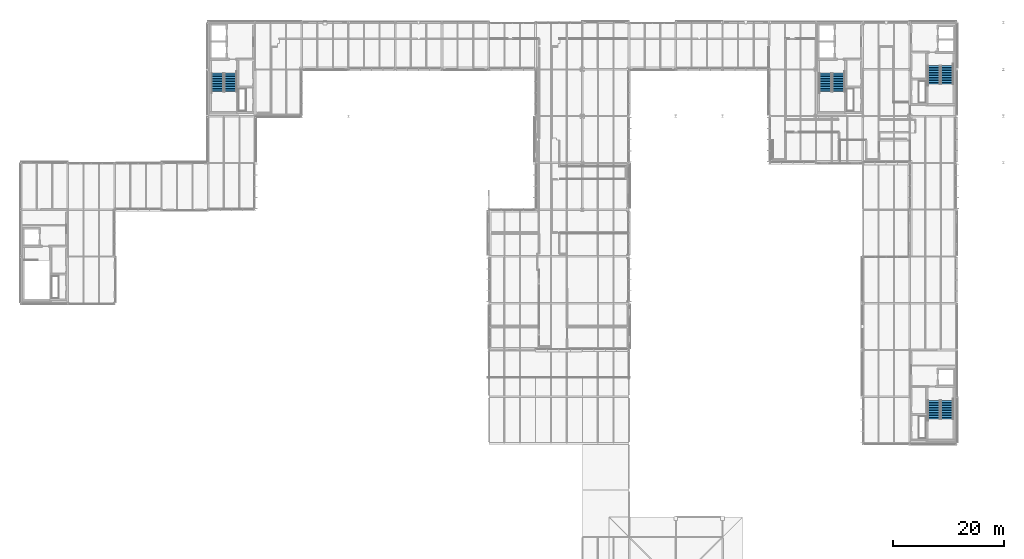
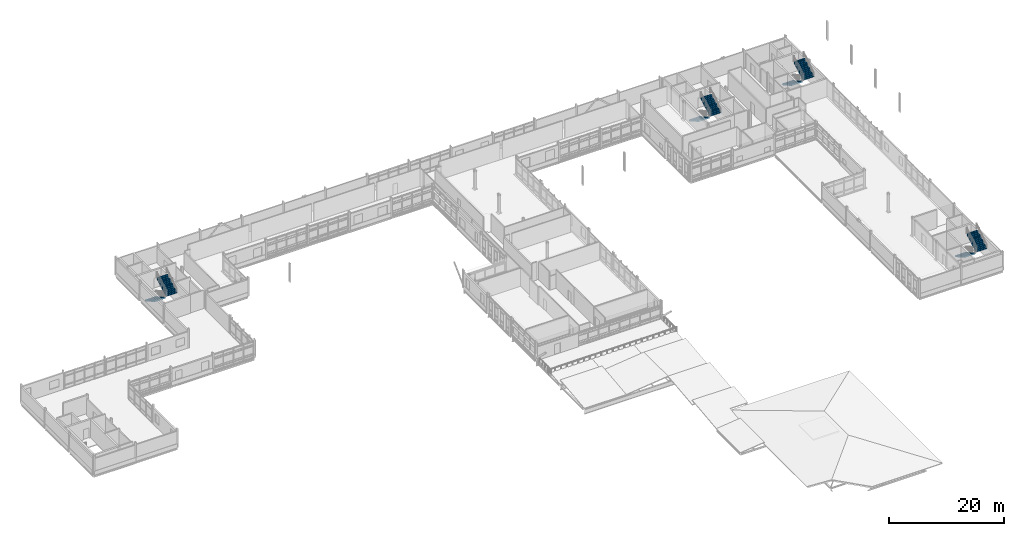
# One storey, part 91 of 103: 8 stair flights, 4 elements without a shape of their own.
"""IFC4 building model written with IfcOpenShell, lengths in metres."""

from ifc_helpers import new_model, si_unit, direction, frame, origin, place, context, subcontext, project, spatial, polyline, outline, extrude, material, type_object, element, aggregate, save


model = new_model("IFC4")

# Units and contexts
model_context = context("Model", 3, precision=1e-05, world=origin(), true_north=direction((0.0, 1.0)))
body_context = subcontext(model_context, "Body", "Model", "MODEL_VIEW")
ifc_project = project(units=[si_unit("LENGTHUNIT", "METRE"), si_unit("AREAUNIT", "SQUARE_METRE"), si_unit("VOLUMEUNIT", "CUBIC_METRE"), si_unit("PLANEANGLEUNIT", "RADIAN"), si_unit("MASSUNIT", "GRAM", prefix="KILO")], contexts=[model_context])

# Site, building, storey
site_placement = place(None, origin())
site = spatial("IfcSite", under=ifc_project, at=site_placement, CompositionType="ELEMENT")
building_placement = place(site_placement, origin())
building = spatial("IfcBuilding", under=site, at=building_placement, Name="Mersafa Astral City Hall", CompositionType="ELEMENT")
storey_placement = place(building_placement, frame((0.0, 0.0, 18.0)))
storey = spatial("IfcBuildingStorey", under=building, at=storey_placement, Name="L04", CompositionType="ELEMENT", Elevation=18.0)

# Stair, stair flights
ifc_material = material(Name="Concrete C40/50", Category="concrete")
stair_type = type_object("IfcStairType", Name="STAIR", PredefinedType="HALF_TURN_STAIR", material=ifc_material)
stair_1_placement = place(storey_placement, origin())
stair_1 = element("IfcStair", 1, at=stair_1_placement, inside=storey, type_object=stair_type, Name="L04 Protected Exit Stair ST1", PredefinedType="HALF_TURN_STAIR")
stair_flight_type = type_object("IfcStairFlightType", Name="STAIR-FLIGHT", PredefinedType="STRAIGHT", material=ifc_material)
stair_flight_1_placement = place(storey_placement, frame((152.8798828125, 116.89990234375, 0.0), z_axis=(0.0, 0.0, 1.0), x_axis=(0.0, -1.0, 0.0)))
stair_flight_1 = element("IfcStairFlight", 2, at=stair_flight_1_placement, type_object=stair_flight_type, Name="ST1 flight 1", NumberOfRisers=12, NumberOfTreads=11, PredefinedType="STRAIGHT", RiserHeight=0.16875, TreadLength=0.3, context=body_context, shape_type="SweptSolid", body=[
    extrude(outline(polyline([(-0.008056640625, -0.02197265625), (-0.008056640625, -0.010009765625), (-0.008056640625, 0.001953125), (-0.008056640625, 0.013671875), (-0.008056640625, 0.025634765625), (-0.008056640625, 0.03759765625), (-0.008056640625, 0.049560546875), (-0.008056640625, 0.0615234375), (-0.008056640625, 0.073486328125), (-0.008056640625, 0.085205078125), (-0.008056640625, 0.09716796875), (-0.008056640625, 0.109130859375), (-0.008056640625, 0.12109375), (-0.008056640625, 0.133056640625), (-0.008056640625, 0.14501953125), (-0.008056640625, 0.15673828125), (-0.008056640625, 0.168701171875), (0.300048828125, 0.168701171875), (0.300048828125, 0.33740234375), (0.60009765625, 0.33740234375), (0.60009765625, 0.50634765625), (0.89990234375, 0.50634765625), (0.89990234375, 0.675048828125), (1.199951171875, 0.675048828125), (1.199951171875, 0.84375), (1.5, 0.84375), (1.5, 1.012451171875), (1.800048828125, 1.012451171875), (1.800048828125, 1.18115234375), (2.10009765625, 1.18115234375), (2.10009765625, 1.35009765625), (2.39990234375, 1.35009765625), (2.39990234375, 1.518798828125), (2.699951171875, 1.518798828125), (2.699951171875, 1.6875), (3.0, 1.6875), (3.0, 1.856201171875), (3.300048828125, 1.856201171875), (3.300048828125, 2.02490234375), (3.30810546875, 2.02490234375), (3.30810546875, 2.003662109375), (3.30810546875, 1.982421875), (3.30810546875, 1.961181640625), (3.30810546875, 1.939697265625), (3.30810546875, 1.91845703125), (3.30810546875, 1.897216796875), (3.30810546875, 1.8759765625), (3.30810546875, 1.854736328125), (3.30810546875, 1.833251953125), (3.30810546875, 1.81201171875), (3.30810546875, 1.790771484375), (3.30810546875, 1.76953125), (3.30810546875, 1.748046875), (3.30810546875, 1.726806640625), (3.30810546875, 1.70556640625), (3.30810546875, 1.684326171875), (0.2666015625, -0.02197265625), (-0.008056640625, -0.02197265625)])), frame((0.0, 1.10009765625, 0.0), z_axis=(0.0, -1.0, 0.0), x_axis=(1.0, 0.0, 0.0)), (0.0, 0.0, 1.0), 2.199951171875),
])
stair_flight_2_placement = place(storey_placement, frame((155.239990234375, 113.60009765625, 2.02490234375), z_axis=(0.0, 0.0, 1.0), x_axis=(0.0, 1.0, 0.0)))
stair_flight_2 = element("IfcStairFlight", 3, at=stair_flight_2_placement, type_object=stair_flight_type, Name="ST1 flight 2", NumberOfRisers=12, NumberOfTreads=11, PredefinedType="STRAIGHT", RiserHeight=0.16875, TreadLength=0.3, context=body_context, shape_type="SweptSolid", body=[
    extrude(outline(polyline([(-0.008056640625, -0.02197265625), (-0.008056640625, -0.010009765625), (-0.008056640625, 0.001953125), (-0.008056640625, 0.013671875), (-0.008056640625, 0.025634765625), (-0.008056640625, 0.03759765625), (-0.008056640625, 0.049560546875), (-0.008056640625, 0.0615234375), (-0.008056640625, 0.073486328125), (-0.008056640625, 0.085205078125), (-0.008056640625, 0.09716796875), (-0.008056640625, 0.109130859375), (-0.008056640625, 0.12109375), (-0.008056640625, 0.133056640625), (-0.008056640625, 0.14501953125), (-0.008056640625, 0.15673828125), (-0.008056640625, 0.168701171875), (0.300048828125, 0.168701171875), (0.300048828125, 0.33740234375), (0.60009765625, 0.33740234375), (0.60009765625, 0.50634765625), (0.89990234375, 0.50634765625), (0.89990234375, 0.675048828125), (1.199951171875, 0.675048828125), (1.199951171875, 0.84375), (1.5, 0.84375), (1.5, 1.012451171875), (1.800048828125, 1.012451171875), (1.800048828125, 1.18115234375), (2.10009765625, 1.18115234375), (2.10009765625, 1.35009765625), (2.39990234375, 1.35009765625), (2.39990234375, 1.518798828125), (2.699951171875, 1.518798828125), (2.699951171875, 1.6875), (3.0, 1.6875), (3.0, 1.856201171875), (3.300048828125, 1.856201171875), (3.300048828125, 2.02490234375), (3.30810546875, 2.02490234375), (3.30810546875, 2.003662109375), (3.30810546875, 1.982421875), (3.30810546875, 1.961181640625), (3.30810546875, 1.939697265625), (3.30810546875, 1.91845703125), (3.30810546875, 1.897216796875), (3.30810546875, 1.8759765625), (3.30810546875, 1.854736328125), (3.30810546875, 1.833251953125), (3.30810546875, 1.81201171875), (3.30810546875, 1.790771484375), (3.30810546875, 1.76953125), (3.30810546875, 1.748046875), (3.30810546875, 1.726806640625), (3.30810546875, 1.70556640625), (3.30810546875, 1.684326171875), (0.2666015625, -0.02197265625), (-0.008056640625, -0.02197265625)])), frame((0.0, 1.10009765625, 0.0), z_axis=(0.0, -1.0, 0.0), x_axis=(1.0, 0.0, 0.0)), (0.0, 0.0, 1.0), 2.199951171875),
])
aggregate(stair_1, [stair_flight_1, stair_flight_2])

stair_2_placement = place(storey_placement, origin())
stair_2 = element("IfcStair", 4, at=stair_2_placement, inside=storey, type_object=stair_type, Name="L04 Protected Exit Stair ST2", PredefinedType="HALF_TURN_STAIR")
stair_flight_3_placement = place(storey_placement, frame((172.360107421875, 118.260009765625, 0.0), z_axis=(0.0, 0.0, 1.0), x_axis=(0.0, -1.0, 0.0)))
stair_flight_3 = element("IfcStairFlight", 5, at=stair_flight_3_placement, type_object=stair_flight_type, Name="ST2 flight 1", NumberOfRisers=12, NumberOfTreads=11, PredefinedType="STRAIGHT", RiserHeight=0.16875, TreadLength=0.3, context=body_context, shape_type="SweptSolid", body=[
    extrude(outline(polyline([(-0.008056640625, -0.02197265625), (-0.008056640625, -0.010009765625), (-0.008056640625, 0.001953125), (-0.008056640625, 0.013671875), (-0.008056640625, 0.025634765625), (-0.008056640625, 0.03759765625), (-0.008056640625, 0.049560546875), (-0.008056640625, 0.0615234375), (-0.008056640625, 0.073486328125), (-0.008056640625, 0.085205078125), (-0.008056640625, 0.09716796875), (-0.008056640625, 0.109130859375), (-0.008056640625, 0.12109375), (-0.008056640625, 0.133056640625), (-0.008056640625, 0.14501953125), (-0.008056640625, 0.15673828125), (-0.008056640625, 0.168701171875), (0.300048828125, 0.168701171875), (0.300048828125, 0.33740234375), (0.60009765625, 0.33740234375), (0.60009765625, 0.50634765625), (0.89990234375, 0.50634765625), (0.89990234375, 0.675048828125), (1.199951171875, 0.675048828125), (1.199951171875, 0.84375), (1.5, 0.84375), (1.5, 1.012451171875), (1.800048828125, 1.012451171875), (1.800048828125, 1.18115234375), (2.10009765625, 1.18115234375), (2.10009765625, 1.35009765625), (2.39990234375, 1.35009765625), (2.39990234375, 1.518798828125), (2.699951171875, 1.518798828125), (2.699951171875, 1.6875), (3.0, 1.6875), (3.0, 1.856201171875), (3.300048828125, 1.856201171875), (3.300048828125, 2.02490234375), (3.30810546875, 2.02490234375), (3.30810546875, 2.003662109375), (3.30810546875, 1.982421875), (3.30810546875, 1.961181640625), (3.30810546875, 1.939697265625), (3.30810546875, 1.91845703125), (3.30810546875, 1.897216796875), (3.30810546875, 1.8759765625), (3.30810546875, 1.854736328125), (3.30810546875, 1.833251953125), (3.30810546875, 1.81201171875), (3.30810546875, 1.790771484375), (3.30810546875, 1.76953125), (3.30810546875, 1.748046875), (3.30810546875, 1.726806640625), (3.30810546875, 1.70556640625), (3.30810546875, 1.684326171875), (0.2666015625, -0.02197265625), (-0.008056640625, -0.02197265625)])), frame((0.0, 1.10009765625, 0.0), z_axis=(0.0, -1.0, 0.0), x_axis=(1.0, 0.0, 0.0)), (0.0, 0.0, 1.0), 2.199951171875),
])
stair_flight_4_placement = place(storey_placement, frame((174.719970703125, 114.9599609375, 2.02490234375), z_axis=(0.0, 0.0, 1.0), x_axis=(0.0, 1.0, 0.0)))
stair_flight_4 = element("IfcStairFlight", 6, at=stair_flight_4_placement, type_object=stair_flight_type, Name="ST2 flight 2", NumberOfRisers=12, NumberOfTreads=11, PredefinedType="STRAIGHT", RiserHeight=0.16875, TreadLength=0.3, context=body_context, shape_type="SweptSolid", body=[
    extrude(outline(polyline([(-0.008056640625, -0.02197265625), (-0.008056640625, -0.010009765625), (-0.008056640625, 0.001953125), (-0.008056640625, 0.013671875), (-0.008056640625, 0.025634765625), (-0.008056640625, 0.03759765625), (-0.008056640625, 0.049560546875), (-0.008056640625, 0.0615234375), (-0.008056640625, 0.073486328125), (-0.008056640625, 0.085205078125), (-0.008056640625, 0.09716796875), (-0.008056640625, 0.109130859375), (-0.008056640625, 0.12109375), (-0.008056640625, 0.133056640625), (-0.008056640625, 0.14501953125), (-0.008056640625, 0.15673828125), (-0.008056640625, 0.168701171875), (0.300048828125, 0.168701171875), (0.300048828125, 0.33740234375), (0.60009765625, 0.33740234375), (0.60009765625, 0.50634765625), (0.89990234375, 0.50634765625), (0.89990234375, 0.675048828125), (1.199951171875, 0.675048828125), (1.199951171875, 0.84375), (1.5, 0.84375), (1.5, 1.012451171875), (1.800048828125, 1.012451171875), (1.800048828125, 1.18115234375), (2.10009765625, 1.18115234375), (2.10009765625, 1.35009765625), (2.39990234375, 1.35009765625), (2.39990234375, 1.518798828125), (2.699951171875, 1.518798828125), (2.699951171875, 1.6875), (3.0, 1.6875), (3.0, 1.856201171875), (3.300048828125, 1.856201171875), (3.300048828125, 2.02490234375), (3.30810546875, 2.02490234375), (3.30810546875, 2.003662109375), (3.30810546875, 1.982421875), (3.30810546875, 1.961181640625), (3.30810546875, 1.939697265625), (3.30810546875, 1.91845703125), (3.30810546875, 1.897216796875), (3.30810546875, 1.8759765625), (3.30810546875, 1.854736328125), (3.30810546875, 1.833251953125), (3.30810546875, 1.81201171875), (3.30810546875, 1.790771484375), (3.30810546875, 1.76953125), (3.30810546875, 1.748046875), (3.30810546875, 1.726806640625), (3.30810546875, 1.70556640625), (3.30810546875, 1.684326171875), (0.2666015625, -0.02197265625), (-0.008056640625, -0.02197265625)])), frame((0.0, 1.10009765625, 0.0), z_axis=(0.0, -1.0, 0.0), x_axis=(1.0, 0.0, 0.0)), (0.0, 0.0, 1.0), 2.199951171875),
])
aggregate(stair_2, [stair_flight_3, stair_flight_4])

stair_3_placement = place(storey_placement, origin())
stair_3 = element("IfcStair", 7, at=stair_3_placement, inside=storey, type_object=stair_type, Name="L04 Protected Exit Stair ST3", PredefinedType="HALF_TURN_STAIR")
stair_flight_5_placement = place(storey_placement, frame((43.679931640625, 116.89990234375, 0.0), z_axis=(0.0, 0.0, 1.0), x_axis=(0.0, -1.0, 0.0)))
stair_flight_5 = element("IfcStairFlight", 8, at=stair_flight_5_placement, type_object=stair_flight_type, Name="ST3 flight 1", NumberOfRisers=12, NumberOfTreads=11, PredefinedType="STRAIGHT", RiserHeight=0.16875, TreadLength=0.3, context=body_context, shape_type="SweptSolid", body=[
    extrude(outline(polyline([(-0.008056640625, -0.02197265625), (-0.008056640625, -0.010009765625), (-0.008056640625, 0.001953125), (-0.008056640625, 0.013671875), (-0.008056640625, 0.025634765625), (-0.008056640625, 0.03759765625), (-0.008056640625, 0.049560546875), (-0.008056640625, 0.0615234375), (-0.008056640625, 0.073486328125), (-0.008056640625, 0.085205078125), (-0.008056640625, 0.09716796875), (-0.008056640625, 0.109130859375), (-0.008056640625, 0.12109375), (-0.008056640625, 0.133056640625), (-0.008056640625, 0.14501953125), (-0.008056640625, 0.15673828125), (-0.008056640625, 0.168701171875), (0.300048828125, 0.168701171875), (0.300048828125, 0.33740234375), (0.60009765625, 0.33740234375), (0.60009765625, 0.50634765625), (0.89990234375, 0.50634765625), (0.89990234375, 0.675048828125), (1.199951171875, 0.675048828125), (1.199951171875, 0.84375), (1.5, 0.84375), (1.5, 1.012451171875), (1.800048828125, 1.012451171875), (1.800048828125, 1.18115234375), (2.10009765625, 1.18115234375), (2.10009765625, 1.35009765625), (2.39990234375, 1.35009765625), (2.39990234375, 1.518798828125), (2.699951171875, 1.518798828125), (2.699951171875, 1.6875), (3.0, 1.6875), (3.0, 1.856201171875), (3.300048828125, 1.856201171875), (3.300048828125, 2.02490234375), (3.30810546875, 2.02490234375), (3.30810546875, 2.003662109375), (3.30810546875, 1.982421875), (3.30810546875, 1.961181640625), (3.30810546875, 1.939697265625), (3.30810546875, 1.91845703125), (3.30810546875, 1.897216796875), (3.30810546875, 1.8759765625), (3.30810546875, 1.854736328125), (3.30810546875, 1.833251953125), (3.30810546875, 1.81201171875), (3.30810546875, 1.790771484375), (3.30810546875, 1.76953125), (3.30810546875, 1.748046875), (3.30810546875, 1.726806640625), (3.30810546875, 1.70556640625), (3.30810546875, 1.684326171875), (0.2666015625, -0.02197265625), (-0.008056640625, -0.02197265625)])), frame((0.0, 1.10009765625, 0.0), z_axis=(0.0, -1.0, 0.0), x_axis=(1.0, 0.0, 0.0)), (0.0, 0.0, 1.0), 2.199951171875),
])
stair_flight_6_placement = place(storey_placement, frame((46.0400390625, 113.60009765625, 2.02490234375), z_axis=(0.0, 0.0, 1.0), x_axis=(0.0, 1.0, 0.0)))
stair_flight_6 = element("IfcStairFlight", 9, at=stair_flight_6_placement, type_object=stair_flight_type, Name="ST3 flight 2", NumberOfRisers=12, NumberOfTreads=11, PredefinedType="STRAIGHT", RiserHeight=0.16875, TreadLength=0.3, context=body_context, shape_type="SweptSolid", body=[
    extrude(outline(polyline([(-0.008056640625, -0.02197265625), (-0.008056640625, -0.010009765625), (-0.008056640625, 0.001953125), (-0.008056640625, 0.013671875), (-0.008056640625, 0.025634765625), (-0.008056640625, 0.03759765625), (-0.008056640625, 0.049560546875), (-0.008056640625, 0.0615234375), (-0.008056640625, 0.073486328125), (-0.008056640625, 0.085205078125), (-0.008056640625, 0.09716796875), (-0.008056640625, 0.109130859375), (-0.008056640625, 0.12109375), (-0.008056640625, 0.133056640625), (-0.008056640625, 0.14501953125), (-0.008056640625, 0.15673828125), (-0.008056640625, 0.168701171875), (0.300048828125, 0.168701171875), (0.300048828125, 0.33740234375), (0.60009765625, 0.33740234375), (0.60009765625, 0.50634765625), (0.89990234375, 0.50634765625), (0.89990234375, 0.675048828125), (1.199951171875, 0.675048828125), (1.199951171875, 0.84375), (1.5, 0.84375), (1.5, 1.012451171875), (1.800048828125, 1.012451171875), (1.800048828125, 1.18115234375), (2.10009765625, 1.18115234375), (2.10009765625, 1.35009765625), (2.39990234375, 1.35009765625), (2.39990234375, 1.518798828125), (2.699951171875, 1.518798828125), (2.699951171875, 1.6875), (3.0, 1.6875), (3.0, 1.856201171875), (3.300048828125, 1.856201171875), (3.300048828125, 2.02490234375), (3.30810546875, 2.02490234375), (3.30810546875, 2.003662109375), (3.30810546875, 1.982421875), (3.30810546875, 1.961181640625), (3.30810546875, 1.939697265625), (3.30810546875, 1.91845703125), (3.30810546875, 1.897216796875), (3.30810546875, 1.8759765625), (3.30810546875, 1.854736328125), (3.30810546875, 1.833251953125), (3.30810546875, 1.81201171875), (3.30810546875, 1.790771484375), (3.30810546875, 1.76953125), (3.30810546875, 1.748046875), (3.30810546875, 1.726806640625), (3.30810546875, 1.70556640625), (3.30810546875, 1.684326171875), (0.2666015625, -0.02197265625), (-0.008056640625, -0.02197265625)])), frame((0.0, 1.10009765625, 0.0), z_axis=(0.0, -1.0, 0.0), x_axis=(1.0, 0.0, 0.0)), (0.0, 0.0, 1.0), 2.199951171875),
])
aggregate(stair_3, [stair_flight_5, stair_flight_6])

stair_4_placement = place(storey_placement, origin())
stair_4 = element("IfcStair", 10, at=stair_4_placement, inside=storey, type_object=stair_type, Name="L04 Protected Exit Stair ST4", PredefinedType="HALF_TURN_STAIR")
stair_flight_7_placement = place(storey_placement, frame((172.360107421875, 58.10009765625, 0.0), z_axis=(0.0, 0.0, 1.0), x_axis=(0.0, -1.0, 0.0)))
stair_flight_7 = element("IfcStairFlight", 11, at=stair_flight_7_placement, type_object=stair_flight_type, Name="ST4 flight 1", NumberOfRisers=12, NumberOfTreads=11, PredefinedType="STRAIGHT", RiserHeight=0.16875, TreadLength=0.3, context=body_context, shape_type="SweptSolid", body=[
    extrude(outline(polyline([(-0.008056640625, -0.02197265625), (-0.008056640625, -0.010009765625), (-0.008056640625, 0.001953125), (-0.008056640625, 0.013671875), (-0.008056640625, 0.025634765625), (-0.008056640625, 0.03759765625), (-0.008056640625, 0.049560546875), (-0.008056640625, 0.0615234375), (-0.008056640625, 0.073486328125), (-0.008056640625, 0.085205078125), (-0.008056640625, 0.09716796875), (-0.008056640625, 0.109130859375), (-0.008056640625, 0.12109375), (-0.008056640625, 0.133056640625), (-0.008056640625, 0.14501953125), (-0.008056640625, 0.15673828125), (-0.008056640625, 0.168701171875), (0.300048828125, 0.168701171875), (0.300048828125, 0.33740234375), (0.60009765625, 0.33740234375), (0.60009765625, 0.50634765625), (0.89990234375, 0.50634765625), (0.89990234375, 0.675048828125), (1.199951171875, 0.675048828125), (1.199951171875, 0.84375), (1.5, 0.84375), (1.5, 1.012451171875), (1.800048828125, 1.012451171875), (1.800048828125, 1.18115234375), (2.10009765625, 1.18115234375), (2.10009765625, 1.35009765625), (2.39990234375, 1.35009765625), (2.39990234375, 1.518798828125), (2.699951171875, 1.518798828125), (2.699951171875, 1.6875), (3.0, 1.6875), (3.0, 1.856201171875), (3.300048828125, 1.856201171875), (3.300048828125, 2.02490234375), (3.30810546875, 2.02490234375), (3.30810546875, 2.003662109375), (3.30810546875, 1.982421875), (3.30810546875, 1.961181640625), (3.30810546875, 1.939697265625), (3.30810546875, 1.91845703125), (3.30810546875, 1.897216796875), (3.30810546875, 1.8759765625), (3.30810546875, 1.854736328125), (3.30810546875, 1.833251953125), (3.30810546875, 1.81201171875), (3.30810546875, 1.790771484375), (3.30810546875, 1.76953125), (3.30810546875, 1.748046875), (3.30810546875, 1.726806640625), (3.30810546875, 1.70556640625), (3.30810546875, 1.684326171875), (0.2666015625, -0.02197265625), (-0.008056640625, -0.02197265625)])), frame((0.0, 1.10009765625, 0.0), z_axis=(0.0, -1.0, 0.0), x_axis=(1.0, 0.0, 0.0)), (0.0, 0.0, 1.0), 2.199951171875),
])
stair_flight_8_placement = place(storey_placement, frame((174.719970703125, 54.800048828125, 2.02490234375), z_axis=(0.0, 0.0, 1.0), x_axis=(0.0, 1.0, 0.0)))
stair_flight_8 = element("IfcStairFlight", 12, at=stair_flight_8_placement, type_object=stair_flight_type, Name="ST4 flight 2", NumberOfRisers=12, NumberOfTreads=11, PredefinedType="STRAIGHT", RiserHeight=0.16875, TreadLength=0.3, context=body_context, shape_type="SweptSolid", body=[
    extrude(outline(polyline([(-0.008056640625, -0.02197265625), (-0.008056640625, -0.010009765625), (-0.008056640625, 0.001953125), (-0.008056640625, 0.013671875), (-0.008056640625, 0.025634765625), (-0.008056640625, 0.03759765625), (-0.008056640625, 0.049560546875), (-0.008056640625, 0.0615234375), (-0.008056640625, 0.073486328125), (-0.008056640625, 0.085205078125), (-0.008056640625, 0.09716796875), (-0.008056640625, 0.109130859375), (-0.008056640625, 0.12109375), (-0.008056640625, 0.133056640625), (-0.008056640625, 0.14501953125), (-0.008056640625, 0.15673828125), (-0.008056640625, 0.168701171875), (0.300048828125, 0.168701171875), (0.300048828125, 0.33740234375), (0.60009765625, 0.33740234375), (0.60009765625, 0.50634765625), (0.89990234375, 0.50634765625), (0.89990234375, 0.675048828125), (1.199951171875, 0.675048828125), (1.199951171875, 0.84375), (1.5, 0.84375), (1.5, 1.012451171875), (1.800048828125, 1.012451171875), (1.800048828125, 1.18115234375), (2.10009765625, 1.18115234375), (2.10009765625, 1.35009765625), (2.39990234375, 1.35009765625), (2.39990234375, 1.518798828125), (2.699951171875, 1.518798828125), (2.699951171875, 1.6875), (3.0, 1.6875), (3.0, 1.856201171875), (3.300048828125, 1.856201171875), (3.300048828125, 2.02490234375), (3.30810546875, 2.02490234375), (3.30810546875, 2.003662109375), (3.30810546875, 1.982421875), (3.30810546875, 1.961181640625), (3.30810546875, 1.939697265625), (3.30810546875, 1.91845703125), (3.30810546875, 1.897216796875), (3.30810546875, 1.8759765625), (3.30810546875, 1.854736328125), (3.30810546875, 1.833251953125), (3.30810546875, 1.81201171875), (3.30810546875, 1.790771484375), (3.30810546875, 1.76953125), (3.30810546875, 1.748046875), (3.30810546875, 1.726806640625), (3.30810546875, 1.70556640625), (3.30810546875, 1.684326171875), (0.2666015625, -0.02197265625), (-0.008056640625, -0.02197265625)])), frame((0.0, 1.10009765625, 0.0), z_axis=(0.0, -1.0, 0.0), x_axis=(1.0, 0.0, 0.0)), (0.0, 0.0, 1.0), 2.199951171875),
])
aggregate(stair_4, [stair_flight_7, stair_flight_8])

save(model, "model.ifc")
